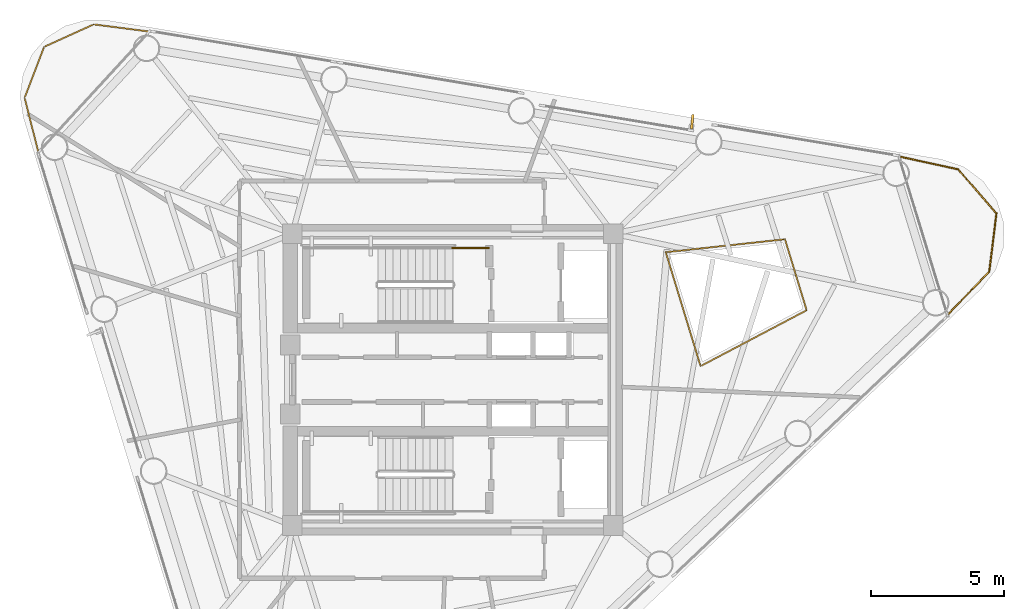
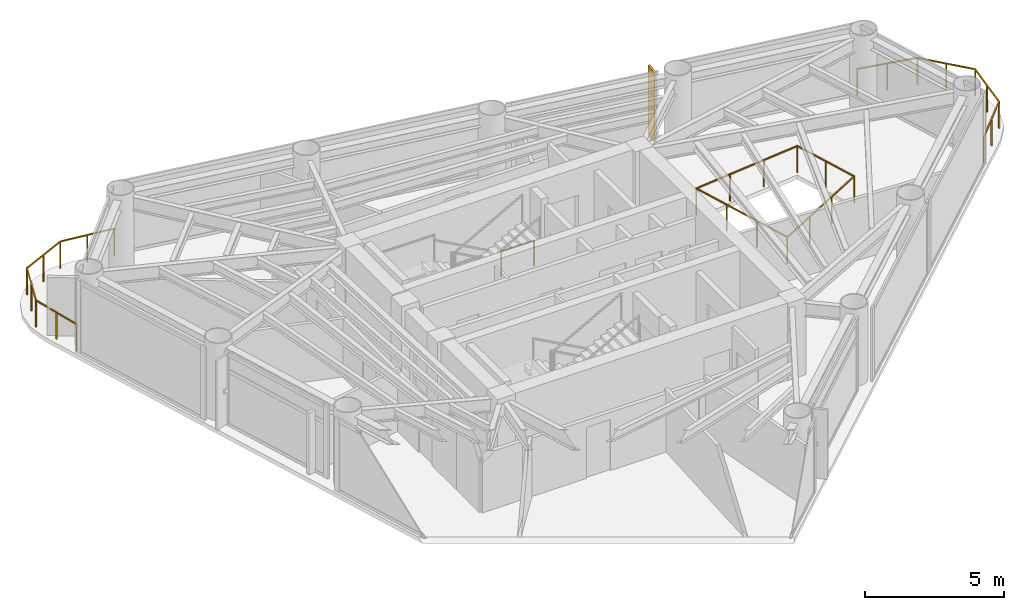
# One storey, part 9 of 9: 4 railings, 1 shading device.
"""IFC4 building model written with IfcOpenShell, lengths in metres."""

from ifc_helpers import new_model, si_unit, direction, frame, origin, origin_2d, place, context, subcontext, project, spatial, rectangle, extrude, source, transform, mapped, material, material_profile, profile_set, type_object, element, save


model = new_model("IFC4")

# Units and contexts
model_context = context("Model", 3, precision=1e-05, world=origin(), true_north=direction((0.0, 1.0)))
body_context = subcontext(model_context, "Body", "Model", "MODEL_VIEW")
ifc_project = project(units=[si_unit("LENGTHUNIT", "METRE"), si_unit("AREAUNIT", "SQUARE_METRE"), si_unit("VOLUMEUNIT", "CUBIC_METRE"), si_unit("PLANEANGLEUNIT", "RADIAN"), si_unit("MASSUNIT", "GRAM", prefix="KILO")], contexts=[model_context])

# Site, building, storey
site_placement = place(None, origin())
site = spatial("IfcSite", under=ifc_project, at=site_placement, CompositionType="ELEMENT")
building_placement = place(site_placement, origin())
building = spatial("IfcBuilding", under=site, at=building_placement, Name="Yunling Apex Tower", CompositionType="ELEMENT")
storey_placement = place(building_placement, frame((0.0, 0.0, 249.050048828125)))
storey = spatial("IfcBuildingStorey", under=building, at=storey_placement, Name="L61", CompositionType="ELEMENT", Elevation=249.050048828125)

# Railings
ifc_material_1 = material(Name="Bronze anodised aluminium", Category="aluminium")
railing_type_1 = type_object("IfcRailingType", Name="RL-BAL-1200", PredefinedType="BALUSTRADE", material=ifc_material_1)
railing_1_placement = place(storey_placement, frame((16.8173828125, 8.41064453125, 0.0)))
element("IfcRailing", 1, at=railing_1_placement, inside=storey, type_object=railing_type_1, Name="RL-CRNSILL-L61-1", PredefinedType="BALUSTRADE", context=body_context, shape_type="SweptSolid", body=[
    extrude(rectangle(XDim=0.0439453125, YDim=0.0439453125, at=origin_2d()), origin(), (0.0, 0.0, 1.0), 1.199951171875),
    extrude(rectangle(XDim=0.0439453125, YDim=0.0439453125, at=origin_2d()), frame((2.2275390625, -0.484130859375, 0.0)), (0.0, 0.0, 1.0), 1.199951171875),
    extrude(rectangle(XDim=0.050048828125, YDim=0.050048828125, at=origin_2d()), frame((0.037353515625, -0.008056640625, 1.1748046875), z_axis=(0.977186995442, -0.212380733446, 0.0), x_axis=(0.212380733446, 0.977186995442, 0.0)), (0.0, 0.0, 1.0), 2.202880859375),
    extrude(rectangle(XDim=0.0439453125, YDim=0.0439453125, at=origin_2d()), frame((1.11376953125, -0.2421875, 0.0)), (0.0, 0.0, 1.0), 1.14599609375),
    extrude(rectangle(XDim=0.0439453125, YDim=0.0439453125, at=origin_2d()), frame((3.673828125, -2.145751953125, 0.0)), (0.0, 0.0, 1.0), 1.199951171875),
    extrude(rectangle(XDim=0.050048828125, YDim=0.050048828125, at=origin_2d()), frame((2.252685546875, -0.512939453125, 1.1748046875), z_axis=(0.656540826245, -0.754290490112, 0.0), x_axis=(0.754290490112, 0.656540826245, 0.0)), (0.0, 0.0, 1.0), 2.126220703125),
    extrude(rectangle(XDim=0.0439453125, YDim=0.0439453125, at=origin_2d()), frame((2.95068359375, -1.31494140625, 0.0)), (0.0, 0.0, 1.0), 1.14599609375),
    extrude(rectangle(XDim=0.0439453125, YDim=0.0439453125, at=origin_2d()), frame((3.404052734375, -4.332275390625, 0.0)), (0.0, 0.0, 1.0), 1.199951171875),
    extrude(rectangle(XDim=0.050048828125, YDim=0.050048828125, at=origin_2d()), frame((3.669189453125, -2.183837890625, 1.1748046875), z_axis=(-0.122452455401, -0.992474380609, 0.0), x_axis=(0.992474380609, -0.122452455401, 0.0)), (0.0, 0.0, 1.0), 2.12646484375),
    extrude(rectangle(XDim=0.0439453125, YDim=0.0439453125, at=origin_2d()), frame((3.5390625, -3.239013671875, 0.0)), (0.0, 0.0, 1.0), 1.14599609375),
    extrude(rectangle(XDim=0.0439453125, YDim=0.0439453125, at=origin_2d()), frame((1.828125, -5.979248046875, 0.0)), (0.0, 0.0, 1.0), 1.199951171875),
    extrude(rectangle(XDim=0.050048828125, YDim=0.050048828125, at=origin_2d()), frame((3.37744140625, -4.35986328125, 1.1748046875), z_axis=(-0.691351518359, -0.722518565895, 0.0), x_axis=(0.722518565895, -0.691351518359, 0.0)), (0.0, 0.0, 1.0), 2.202880859375),
    extrude(rectangle(XDim=0.0439453125, YDim=0.0439453125, at=origin_2d()), frame((2.6162109375, -5.15576171875, 0.0)), (0.0, 0.0, 1.0), 1.14599609375),
])
railing_2_placement = place(storey_placement, frame((-15.61962890625, 8.571533203125, 0.0)))
element("IfcRailing", 2, at=railing_2_placement, inside=storey, type_object=railing_type_1, Name="RL-CRNSILL-L61-2", PredefinedType="BALUSTRADE", context=body_context, shape_type="SweptSolid", body=[
    extrude(rectangle(XDim=0.0439453125, YDim=0.0439453125, at=origin_2d()), origin(), (0.0, 0.0, 1.0), 1.199951171875),
    extrude(rectangle(XDim=0.0439453125, YDim=0.0439453125, at=origin_2d()), frame((-0.5185546875, 2.04931640625, 0.0)), (0.0, 0.0, 1.0), 1.199951171875),
    extrude(rectangle(XDim=0.050048828125, YDim=0.050048828125, at=origin_2d()), frame((-0.009521484375, 0.037109375, 1.1748046875), z_axis=(-0.245306459502, 0.969445584304, 0.0), x_axis=(-0.969445584304, -0.245306459502, 0.0)), (0.0, 0.0, 1.0), 2.037353515625),
    extrude(rectangle(XDim=0.0439453125, YDim=0.0439453125, at=origin_2d()), frame((-0.25927734375, 1.024658203125, 0.0)), (0.0, 0.0, 1.0), 1.14599609375),
    extrude(rectangle(XDim=0.0439453125, YDim=0.0439453125, at=origin_2d()), frame((0.216552734375, 3.970458984375, 0.0)), (0.0, 0.0, 1.0), 1.199951171875),
    extrude(rectangle(XDim=0.050048828125, YDim=0.050048828125, at=origin_2d()), frame((-0.5048828125, 2.085205078125, 1.1748046875), z_axis=(0.357371966157, 0.933962139385, 0.0), x_axis=(-0.933962139385, 0.357371966157, 0.0)), (0.0, 0.0, 1.0), 1.980224609375),
    extrude(rectangle(XDim=0.0439453125, YDim=0.0439453125, at=origin_2d()), frame((-0.15087890625, 3.009765625, 0.0)), (0.0, 0.0, 1.0), 1.14599609375),
    extrude(rectangle(XDim=0.0439453125, YDim=0.0439453125, at=origin_2d()), frame((2.083740234375, 4.817626953125, 0.0)), (0.0, 0.0, 1.0), 1.199951171875),
    extrude(rectangle(XDim=0.050048828125, YDim=0.050048828125, at=origin_2d()), frame((0.25146484375, 3.986328125, 1.1748046875), z_axis=(0.910651704015, 0.413174870938, 0.0), x_axis=(-0.413174870938, 0.910651704015, 0.0)), (0.0, 0.0, 1.0), 1.9736328125),
    extrude(rectangle(XDim=0.0439453125, YDim=0.0439453125, at=origin_2d()), frame((1.150146484375, 4.39404296875, 0.0)), (0.0, 0.0, 1.0), 1.14599609375),
    extrude(rectangle(XDim=0.0439453125, YDim=0.0439453125, at=origin_2d()), frame((4.180908203125, 4.54736328125, 0.0)), (0.0, 0.0, 1.0), 1.199951171875),
    extrude(rectangle(XDim=0.050048828125, YDim=0.050048828125, at=origin_2d()), frame((2.121826171875, 4.812744140625, 1.1748046875), z_axis=(0.99179818069, -0.127813805125, 0.0), x_axis=(0.127813805125, 0.99179818069, 0.0)), (0.0, 0.0, 1.0), 2.037841796875),
    extrude(rectangle(XDim=0.0439453125, YDim=0.0439453125, at=origin_2d()), frame((3.13232421875, 4.6826171875, 0.0)), (0.0, 0.0, 1.0), 1.14599609375),
])
railing_3_placement = place(storey_placement, frame((8.02685546875, 4.8017578125, 0.0)))
element("IfcRailing", 3, at=railing_3_placement, inside=storey, type_object=railing_type_1, Name="RL-TATR-L61", PredefinedType="BALUSTRADE", context=body_context, shape_type="SweptSolid", body=[
    extrude(rectangle(XDim=0.0439453125, YDim=0.0439453125, at=origin_2d()), origin(), (0.0, 0.0, 1.0), 1.199951171875),
    extrude(rectangle(XDim=0.0439453125, YDim=0.0439453125, at=origin_2d()), frame((4.4931640625, 0.4892578125, 0.0)), (0.0, 0.0, 1.0), 1.199951171875),
    extrude(rectangle(XDim=0.050048828125, YDim=0.050048828125, at=origin_2d()), frame((0.0380859375, 0.004150390625, 1.1748046875), z_axis=(0.994123756521, 0.108249511414, 0.0), x_axis=(-0.108249511414, 0.994123756521, 0.0)), (0.0, 0.0, 1.0), 4.443115234375),
    extrude(rectangle(XDim=0.0439453125, YDim=0.0439453125, at=origin_2d()), frame((1.497802734375, 0.1630859375, 0.0)), (0.0, 0.0, 1.0), 1.14599609375),
    extrude(rectangle(XDim=0.0439453125, YDim=0.0439453125, at=origin_2d()), frame((2.995361328125, 0.326171875, 0.0)), (0.0, 0.0, 1.0), 1.14599609375),
    extrude(rectangle(XDim=0.0439453125, YDim=0.0439453125, at=origin_2d()), frame((5.3115234375, -2.18701171875, 0.0)), (0.0, 0.0, 1.0), 1.199951171875),
    extrude(rectangle(XDim=0.050048828125, YDim=0.050048828125, at=origin_2d()), frame((4.50439453125, 0.45263671875, 1.1748046875), z_axis=(0.292417998169, -0.956290601411, 0.0), x_axis=(0.956290601411, 0.292417998169, 0.0)), (0.0, 0.0, 1.0), 2.721923828125),
    extrude(rectangle(XDim=0.0439453125, YDim=0.0439453125, at=origin_2d()), frame((4.90234375, -0.848876953125, 0.0)), (0.0, 0.0, 1.0), 1.14599609375),
    extrude(rectangle(XDim=0.0439453125, YDim=0.0439453125, at=origin_2d()), frame((1.312744140625, -4.2939453125, 0.0)), (0.0, 0.0, 1.0), 1.199951171875),
    extrude(rectangle(XDim=0.050048828125, YDim=0.050048828125, at=origin_2d()), frame((5.277587890625, -2.204833984375, 1.1748046875), z_axis=(-0.884707228161, -0.466147101717, 0.0), x_axis=(0.466147101717, -0.884707228161, 0.0)), (0.0, 0.0, 1.0), 4.443115234375),
    extrude(rectangle(XDim=0.0439453125, YDim=0.0439453125, at=origin_2d()), frame((3.978515625, -2.889404296875, 0.0)), (0.0, 0.0, 1.0), 1.14599609375),
    extrude(rectangle(XDim=0.0439453125, YDim=0.0439453125, at=origin_2d()), frame((2.645751953125, -3.591552734375, 0.0)), (0.0, 0.0, 1.0), 1.14599609375),
    extrude(rectangle(XDim=0.050048828125, YDim=0.050048828125, at=origin_2d()), frame((1.301513671875, -4.25732421875, 1.1748046875), z_axis=(-0.292362196042, 0.956307663007, 0.0), x_axis=(-0.956307663007, -0.292362196042, 0.0)), (0.0, 0.0, 1.0), 4.41357421875),
    extrude(rectangle(XDim=0.0439453125, YDim=0.0439453125, at=origin_2d()), frame((0.875244140625, -2.862548828125, 0.0)), (0.0, 0.0, 1.0), 1.14599609375),
    extrude(rectangle(XDim=0.0439453125, YDim=0.0439453125, at=origin_2d()), frame((0.4375, -1.431396484375, 0.0)), (0.0, 0.0, 1.0), 1.14599609375),
])
ifc_material_2 = material(Name="Steel Q355B", Category="steel")
railing_type_2 = type_object("IfcRailingType", Name="RL-GRD-1150", PredefinedType="GUARDRAIL", material=ifc_material_2)
railing_4_placement = place(storey_placement, frame((1.35009765625, 4.9599609375, 0.0)))
element("IfcRailing", 4, at=railing_4_placement, inside=storey, type_object=railing_type_2, Name="L61 ST-1 stair guard 6", PredefinedType="GUARDRAIL", context=body_context, shape_type="SweptSolid", body=[
    extrude(rectangle(XDim=0.0439453125, YDim=0.0439453125, at=origin_2d()), origin(), (0.0, 0.0, 1.0), 1.14990234375),
    extrude(rectangle(XDim=0.0439453125, YDim=0.0439453125, at=origin_2d()), frame((-1.360107421875, 0.0, 0.0)), (0.0, 0.0, 1.0), 1.14990234375),
    extrude(rectangle(XDim=0.050048828125, YDim=0.050048828125, at=origin_2d()), frame((-0.038330078125, 0.0, 1.125), z_axis=(-1.0, 0.0, 0.0), x_axis=(0.0, -1.0, 0.0)), (0.0, 0.0, 1.0), 1.283447265625),
])

# Shading device
ifc_material_profile = material_profile(ifc_material_1, rectangle(XDim=0.0849609375, YDim=0.550048828125, at=origin_2d()))
ifc_profile_set = profile_set([ifc_material_profile], Name="Bronze anodised aluminium")
shading_device_type = type_object("IfcShadingDeviceType", Name="FN-BRZ-3", PredefinedType="USERDEFINED", material=ifc_profile_set)
shared_shape = source(origin(), body_context, "Body", "SweptSolid", [
    extrude(rectangle(XDim=0.0849609375, YDim=0.550048828125, at=origin_2d()), origin(), (0.0, 0.0, 1.0), 3.06005859375),
])
shading_device_placement = place(storey_placement, frame((9.0244140625, 9.71435546875, 0.059814453125), z_axis=(0.0, 0.0, 1.0), x_axis=(-0.995038220239, 0.099493418189, 0.0)))
element("IfcShadingDevice", 5, at=shading_device_placement, inside=storey, type_object=shading_device_type, Name="CW-L61-F2-B2-FIN-01", ObjectType="FIN", PredefinedType="USERDEFINED", context=body_context, shape_type="MappedRepresentation", body=[
    mapped(shared_shape, transform((0.0, 0.0, 0.0), scale=1.0)),
])

save(model, "model.ifc")
